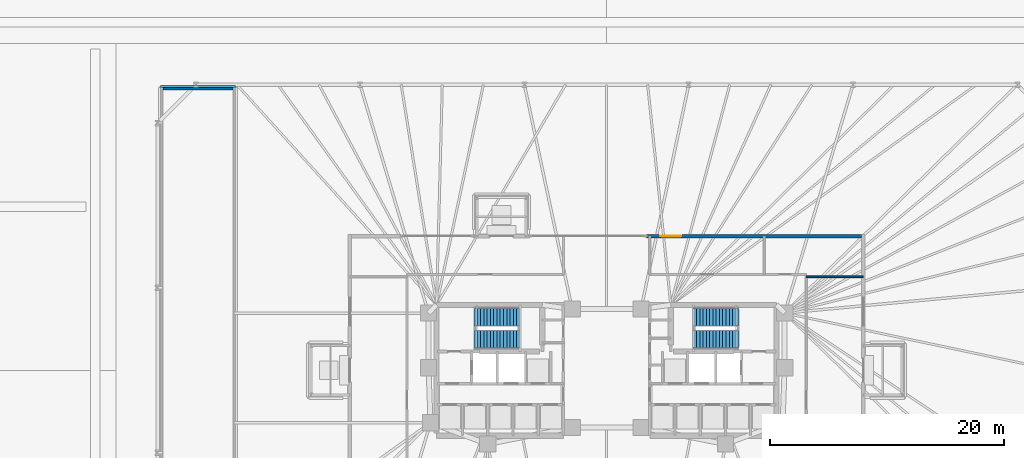
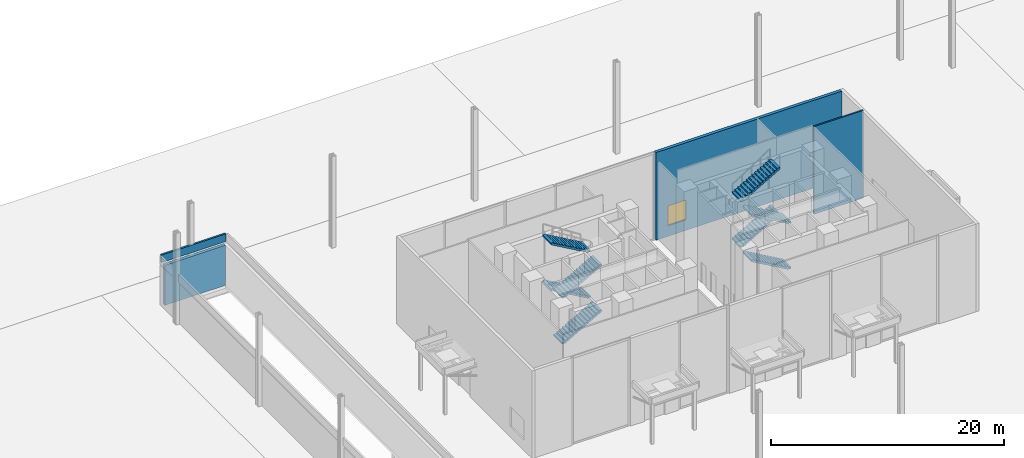
# One storey, part 21 of 24: 8 stair flights, 4 walls, 1 window, 1 opening, 2 elements without a shape of their own.
"""IFC4 building model written with IfcOpenShell, lengths in metres."""

from ifc_helpers import new_model, si_unit, direction, frame, frame_2d, origin, place, context, subcontext, project, spatial, polyline, rectangle, outline, extrude, material, layer, layer_set, type_object, element, fill, aggregate, save


model = new_model("IFC4")

# Units and contexts
model_context = context("Model", 3, precision=1e-05, world=origin(), true_north=direction((0.0, 1.0)))
body_context = subcontext(model_context, "Body", "Model", "MODEL_VIEW")
ifc_project = project(units=[si_unit("LENGTHUNIT", "METRE"), si_unit("AREAUNIT", "SQUARE_METRE"), si_unit("VOLUMEUNIT", "CUBIC_METRE"), si_unit("PLANEANGLEUNIT", "RADIAN"), si_unit("MASSUNIT", "GRAM", prefix="KILO")], contexts=[model_context])

# Site, building, storey
site_placement = place(None, origin())
site = spatial("IfcSite", under=ifc_project, at=site_placement, CompositionType="ELEMENT")
building_placement = place(site_placement, origin())
building = spatial("IfcBuilding", under=site, at=building_placement, Name="Menara Jurai Vektor", CompositionType="ELEMENT")
storey_placement = place(building_placement, origin())
storey = spatial("IfcBuildingStorey", under=building, at=storey_placement, Name="L00", CompositionType="ELEMENT", Elevation=0.0)

# Wall, opening, window
ifc_material_1 = material(Name="Insulated Pale Aluminium Spandrel Wall", Category="aluminium")
ifc_layer_1 = layer(ifc_material_1, 0.300048828125)
ifc_layer_set_1 = layer_set([ifc_layer_1], Name="Insulated Pale Aluminium Spandrel Wall")
wall_type_1 = type_object("IfcWallType", Name="ENV-WALL-EXT300", PredefinedType="STANDARD", material=ifc_layer_set_1)
wall_1_placement = place(storey_placement, frame((3.39990234375, 11.5, 0.0), z_axis=(0.0, 0.0, 1.0), x_axis=(1.0, 0.0, 0.0)))
wall_1 = element("IfcWall", 1, at=wall_1_placement, inside=storey, type_object=wall_type_1, Name="Ground Lobby External Wall N-FCC", PredefinedType="STANDARD", context=body_context, shape_type="SweptSolid", body=[
    extrude(rectangle(XDim=18.4501953125, YDim=0.300048828125, at=frame_2d((9.22509765625, 0.0))), origin(), (0.0, 0.0, 1.0), 9.195068359375),
])
opening_placement = place(wall_1_placement, frame((1.199951171875, 0.0, 1.10009765625)))
opening = element("IfcOpeningElement", 2, at=opening_placement, cuts=wall_1, Name="Opening EW-18", PredefinedType="OPENING", context=body_context, shape_type="SweptSolid", body=[
    extrude(rectangle(XDim=1.800048828125, YDim=2.10009765625, at=frame_2d((0.89990234375, 1.050048828125))), frame((0.0, 0.16015625, 0.0), z_axis=(0.0, -1.0, 0.0), x_axis=(1.0, 0.0, 0.0)), (0.0, 0.0, 1.0), 0.320068359375),
])
ifc_material_2 = material(Name="Low-E Double Glazed Pale Aluminium Window", Category="aluminium")
window_type = type_object("IfcWindowType", Name="ENV-WIN-PAV180", PartitioningType="SINGLE_PANEL", PredefinedType="WINDOW", material=ifc_material_2)
window_placement = place(opening_placement, origin())
window = element("IfcWindow", 3, at=window_placement, inside=storey, type_object=window_type, Name="Ground Pavilion Window W01", OverallHeight=2.10009765625, OverallWidth=1.800048828125, PartitioningType="SINGLE_PANEL", PredefinedType="WINDOW", context=body_context, shape_type="SweptSolid", body=[
    extrude(rectangle(XDim=1.800048828125, YDim=2.10009765625, at=frame_2d((0.89990234375, 1.050048828125))), frame((0.0, 0.030029296875, 0.0), z_axis=(0.0, -1.0, 0.0), x_axis=(1.0, 0.0, 0.0)), (0.0, 0.0, 1.0), 0.06005859375),
])
fill(opening, window)

# Walls
wall_2_placement = place(storey_placement, frame((-38.0, 24.14990234375, 0.0), z_axis=(0.0, 0.0, 1.0), x_axis=(1.0, 0.0, 0.0)))
element("IfcWall", 4, at=wall_2_placement, inside=storey, type_object=wall_type_1, Name="Vehicle Ramp Headhouse Wall RP-N", PredefinedType="STANDARD", context=body_context, shape_type="SweptSolid", body=[
    extrude(rectangle(XDim=6.0, YDim=0.300048828125, at=frame_2d((3.0, 0.0))), origin(), (0.0, 0.0, 1.0), 4.199951171875),
])
ifc_material_3 = material(Name="Concrete C40/50", Category="concrete")
ifc_layer_2 = layer(ifc_material_3, 0.179931640625)
ifc_layer_set_2 = layer_set([ifc_layer_2], Name="Concrete C40/50")
wall_type_2 = type_object("IfcWallType", Name="ENV-WALL-PARAPET180", PredefinedType="PARAPET", material=ifc_layer_set_2)
wall_3_placement = place(storey_placement, frame((-31.799072265625, 24.300048828125, 4.419921875), z_axis=(0.0, 0.0, 1.0), x_axis=(-1.0, 0.0, 0.0)))
element("IfcWall", 5, at=wall_3_placement, inside=storey, type_object=wall_type_2, Name="Roof Parapet Wall L00-RAMP-02", PredefinedType="PARAPET", context=body_context, shape_type="SweptSolid", body=[
    extrude(rectangle(XDim=6.40185546875, YDim=0.179931640625, at=frame_2d((3.200927734375, 0.0))), origin(), (0.0, 0.0, 1.0), 0.800048828125),
])
ifc_material_4 = material(Name="Gypsum Fireboard Partition", Category="gypsum")
ifc_layer_3 = layer(ifc_material_4, 0.14990234375)
ifc_layer_set_3 = layer_set([ifc_layer_3], Name="Gypsum Fireboard Partition")
wall_type_3 = type_object("IfcWallType", Name="INT-WALL-CORR-150", PredefinedType="PARTITIONING", material=ifc_layer_set_3)
wall_4_placement = place(storey_placement, frame((17.10009765625, 8.0, 0.0), z_axis=(0.0, 0.0, 1.0), x_axis=(1.0, 0.0, 0.0)))
element("IfcWall", 6, at=wall_4_placement, inside=storey, type_object=wall_type_3, Name="Interior Wall IW-150 L00", PredefinedType="PARTITIONING", context=body_context, shape_type="SweptSolid", body=[
    extrude(rectangle(XDim=4.89990234375, YDim=0.14990234375, at=frame_2d((2.449951171875, 0.0))), origin(), (0.0, 0.0, 1.0), 9.199951171875),
])

# Stair, stair flights
stair_type = type_object("IfcStairType", Name="STAIR-DOGLEG-1500", PredefinedType="HALF_TURN_STAIR", material=ifc_material_3)
stair_1_placement = place(storey_placement, origin())
stair_1 = element("IfcStair", 7, at=stair_1_placement, inside=storey, type_object=stair_type, Name="Protected Exit Stair ST1 L00", PredefinedType="HALF_TURN_STAIR")
stair_flight_type = type_object("IfcStairFlightType", Name="STAIR-FLIGHT-1500", PredefinedType="STRAIGHT", material=ifc_material_3)
stair_flight_1_placement = place(storey_placement, frame((-11.35009765625, 2.64990234375, 0.0), z_axis=(0.0, 0.0, 1.0), x_axis=(1.0, 0.0, 0.0)))
stair_flight_1 = element("IfcStairFlight", 8, at=stair_flight_1_placement, type_object=stair_flight_type, Name="ST1 flight 1", NumberOfRisers=15, NumberOfTreads=14, PredefinedType="STRAIGHT", RiserHeight=0.16, TreadLength=0.28, context=body_context, shape_type="SweptSolid", body=[
    extrude(outline(polyline([(0.0, 0.0), (0.0, 0.159912109375), (0.280029296875, 0.159912109375), (0.280029296875, 0.320068359375), (0.56005859375, 0.320068359375), (0.56005859375, 0.47998046875), (0.840087890625, 0.47998046875), (0.840087890625, 0.639892578125), (1.1201171875, 0.639892578125), (1.1201171875, 0.800048828125), (1.39990234375, 0.800048828125), (1.39990234375, 0.9599609375), (1.679931640625, 0.9599609375), (1.679931640625, 1.1201171875), (1.9599609375, 1.1201171875), (1.9599609375, 1.280029296875), (2.239990234375, 1.280029296875), (2.239990234375, 1.43994140625), (2.52001953125, 1.43994140625), (2.52001953125, 1.60009765625), (2.800048828125, 1.60009765625), (2.800048828125, 1.760009765625), (3.080078125, 1.760009765625), (3.080078125, 1.919921875), (3.360107421875, 1.919921875), (3.360107421875, 2.080078125), (3.639892578125, 2.080078125), (3.639892578125, 2.239990234375), (3.919921875, 2.239990234375), (3.919921875, 2.39990234375), (3.919921875, 2.055908203125), (0.322265625, 0.0), (0.0, 0.0)])), frame((0.0, 0.75, 0.0), z_axis=(0.0, -1.0, 0.0), x_axis=(1.0, 0.0, 0.0)), (0.0, 0.0, 1.0), 1.5),
])
stair_flight_2_placement = place(storey_placement, frame((-7.429931640625, 4.550048828125, 2.39990234375), z_axis=(0.0, 0.0, 1.0), x_axis=(-1.0, 0.0, 0.0)))
stair_flight_2 = element("IfcStairFlight", 9, at=stair_flight_2_placement, type_object=stair_flight_type, Name="ST1 flight 2", NumberOfRisers=15, NumberOfTreads=14, PredefinedType="STRAIGHT", RiserHeight=0.16, TreadLength=0.28, context=body_context, shape_type="SweptSolid", body=[
    extrude(outline(polyline([(0.0, 0.0), (0.0, 0.159912109375), (0.280029296875, 0.159912109375), (0.280029296875, 0.320068359375), (0.56005859375, 0.320068359375), (0.56005859375, 0.47998046875), (0.840087890625, 0.47998046875), (0.840087890625, 0.639892578125), (1.1201171875, 0.639892578125), (1.1201171875, 0.800048828125), (1.39990234375, 0.800048828125), (1.39990234375, 0.9599609375), (1.679931640625, 0.9599609375), (1.679931640625, 1.1201171875), (1.9599609375, 1.1201171875), (1.9599609375, 1.280029296875), (2.239990234375, 1.280029296875), (2.239990234375, 1.43994140625), (2.52001953125, 1.43994140625), (2.52001953125, 1.60009765625), (2.800048828125, 1.60009765625), (2.800048828125, 1.760009765625), (3.080078125, 1.760009765625), (3.080078125, 1.919921875), (3.360107421875, 1.919921875), (3.360107421875, 2.080078125), (3.639892578125, 2.080078125), (3.639892578125, 2.239990234375), (3.919921875, 2.239990234375), (3.919921875, 2.39990234375), (3.919921875, 2.055908203125), (0.322265625, 0.0), (0.0, 0.0)])), frame((0.0, 0.75, 0.0), z_axis=(0.0, -1.0, 0.0), x_axis=(1.0, 0.0, 0.0)), (0.0, 0.0, 1.0), 1.5),
])
stair_flight_3_placement = place(storey_placement, frame((-11.35009765625, 2.64990234375, 4.800048828125), z_axis=(0.0, 0.0, 1.0), x_axis=(1.0, 0.0, 0.0)))
stair_flight_3 = element("IfcStairFlight", 10, at=stair_flight_3_placement, type_object=stair_flight_type, Name="ST1 flight 3", NumberOfRisers=15, NumberOfTreads=14, PredefinedType="STRAIGHT", RiserHeight=0.16, TreadLength=0.28, context=body_context, shape_type="SweptSolid", body=[
    extrude(outline(polyline([(0.0, 0.0), (0.0, 0.159912109375), (0.280029296875, 0.159912109375), (0.280029296875, 0.320068359375), (0.56005859375, 0.320068359375), (0.56005859375, 0.47998046875), (0.840087890625, 0.47998046875), (0.840087890625, 0.639892578125), (1.1201171875, 0.639892578125), (1.1201171875, 0.800048828125), (1.39990234375, 0.800048828125), (1.39990234375, 0.9599609375), (1.679931640625, 0.9599609375), (1.679931640625, 1.1201171875), (1.9599609375, 1.1201171875), (1.9599609375, 1.280029296875), (2.239990234375, 1.280029296875), (2.239990234375, 1.43994140625), (2.52001953125, 1.43994140625), (2.52001953125, 1.60009765625), (2.800048828125, 1.60009765625), (2.800048828125, 1.760009765625), (3.080078125, 1.760009765625), (3.080078125, 1.919921875), (3.360107421875, 1.919921875), (3.360107421875, 2.080078125), (3.639892578125, 2.080078125), (3.639892578125, 2.239990234375), (3.919921875, 2.239990234375), (3.919921875, 2.39990234375), (3.919921875, 2.055908203125), (0.322265625, 0.0), (0.0, 0.0)])), frame((0.0, 0.75, 0.0), z_axis=(0.0, -1.0, 0.0), x_axis=(1.0, 0.0, 0.0)), (0.0, 0.0, 1.0), 1.5),
])
stair_flight_4_placement = place(storey_placement, frame((-7.429931640625, 4.550048828125, 7.199951171875), z_axis=(0.0, 0.0, 1.0), x_axis=(-1.0, 0.0, 0.0)))
stair_flight_4 = element("IfcStairFlight", 11, at=stair_flight_4_placement, type_object=stair_flight_type, Name="ST1 flight 4", NumberOfRisers=15, NumberOfTreads=14, PredefinedType="STRAIGHT", RiserHeight=0.16, TreadLength=0.28, context=body_context, shape_type="SweptSolid", body=[
    extrude(outline(polyline([(0.0, 0.0), (0.0, 0.159912109375), (0.280029296875, 0.159912109375), (0.280029296875, 0.320068359375), (0.56005859375, 0.320068359375), (0.56005859375, 0.47998046875), (0.840087890625, 0.47998046875), (0.840087890625, 0.639892578125), (1.1201171875, 0.639892578125), (1.1201171875, 0.800048828125), (1.39990234375, 0.800048828125), (1.39990234375, 0.9599609375), (1.679931640625, 0.9599609375), (1.679931640625, 1.1201171875), (1.9599609375, 1.1201171875), (1.9599609375, 1.280029296875), (2.239990234375, 1.280029296875), (2.239990234375, 1.43994140625), (2.52001953125, 1.43994140625), (2.52001953125, 1.60009765625), (2.800048828125, 1.60009765625), (2.800048828125, 1.760009765625), (3.080078125, 1.760009765625), (3.080078125, 1.919921875), (3.360107421875, 1.919921875), (3.360107421875, 2.080078125), (3.639892578125, 2.080078125), (3.639892578125, 2.239990234375), (3.919921875, 2.239990234375), (3.919921875, 2.39990234375), (3.919921875, 2.055908203125), (0.322265625, 0.0), (0.0, 0.0)])), frame((0.0, 0.75, 0.0), z_axis=(0.0, -1.0, 0.0), x_axis=(1.0, 0.0, 0.0)), (0.0, 0.0, 1.0), 1.5),
])
aggregate(stair_1, [stair_flight_1, stair_flight_2, stair_flight_3, stair_flight_4])

stair_2_placement = place(storey_placement, origin())
stair_2 = element("IfcStair", 12, at=stair_2_placement, inside=storey, type_object=stair_type, Name="Protected Exit Stair ST2 L00", PredefinedType="HALF_TURN_STAIR")
stair_flight_5_placement = place(storey_placement, frame((11.35009765625, 2.64990234375, 0.0), z_axis=(0.0, 0.0, 1.0), x_axis=(-1.0, 0.0, 0.0)))
stair_flight_5 = element("IfcStairFlight", 13, at=stair_flight_5_placement, type_object=stair_flight_type, Name="ST2 flight 1", NumberOfRisers=15, NumberOfTreads=14, PredefinedType="STRAIGHT", RiserHeight=0.16, TreadLength=0.28, context=body_context, shape_type="SweptSolid", body=[
    extrude(outline(polyline([(0.0, 0.0), (0.0, 0.159912109375), (0.280029296875, 0.159912109375), (0.280029296875, 0.320068359375), (0.56005859375, 0.320068359375), (0.56005859375, 0.47998046875), (0.840087890625, 0.47998046875), (0.840087890625, 0.639892578125), (1.1201171875, 0.639892578125), (1.1201171875, 0.800048828125), (1.39990234375, 0.800048828125), (1.39990234375, 0.9599609375), (1.679931640625, 0.9599609375), (1.679931640625, 1.1201171875), (1.9599609375, 1.1201171875), (1.9599609375, 1.280029296875), (2.239990234375, 1.280029296875), (2.239990234375, 1.43994140625), (2.52001953125, 1.43994140625), (2.52001953125, 1.60009765625), (2.800048828125, 1.60009765625), (2.800048828125, 1.760009765625), (3.080078125, 1.760009765625), (3.080078125, 1.919921875), (3.360107421875, 1.919921875), (3.360107421875, 2.080078125), (3.639892578125, 2.080078125), (3.639892578125, 2.239990234375), (3.919921875, 2.239990234375), (3.919921875, 2.39990234375), (3.919921875, 2.055908203125), (0.322265625, 0.0), (0.0, 0.0)])), frame((0.0, 0.75, 0.0), z_axis=(0.0, -1.0, 0.0), x_axis=(1.0, 0.0, 0.0)), (0.0, 0.0, 1.0), 1.5),
])
stair_flight_6_placement = place(storey_placement, frame((7.429931640625, 4.550048828125, 2.39990234375), z_axis=(0.0, 0.0, 1.0), x_axis=(1.0, 0.0, 0.0)))
stair_flight_6 = element("IfcStairFlight", 14, at=stair_flight_6_placement, type_object=stair_flight_type, Name="ST2 flight 2", NumberOfRisers=15, NumberOfTreads=14, PredefinedType="STRAIGHT", RiserHeight=0.16, TreadLength=0.28, context=body_context, shape_type="SweptSolid", body=[
    extrude(outline(polyline([(0.0, 0.0), (0.0, 0.159912109375), (0.280029296875, 0.159912109375), (0.280029296875, 0.320068359375), (0.56005859375, 0.320068359375), (0.56005859375, 0.47998046875), (0.840087890625, 0.47998046875), (0.840087890625, 0.639892578125), (1.1201171875, 0.639892578125), (1.1201171875, 0.800048828125), (1.39990234375, 0.800048828125), (1.39990234375, 0.9599609375), (1.679931640625, 0.9599609375), (1.679931640625, 1.1201171875), (1.9599609375, 1.1201171875), (1.9599609375, 1.280029296875), (2.239990234375, 1.280029296875), (2.239990234375, 1.43994140625), (2.52001953125, 1.43994140625), (2.52001953125, 1.60009765625), (2.800048828125, 1.60009765625), (2.800048828125, 1.760009765625), (3.080078125, 1.760009765625), (3.080078125, 1.919921875), (3.360107421875, 1.919921875), (3.360107421875, 2.080078125), (3.639892578125, 2.080078125), (3.639892578125, 2.239990234375), (3.919921875, 2.239990234375), (3.919921875, 2.39990234375), (3.919921875, 2.055908203125), (0.322265625, 0.0), (0.0, 0.0)])), frame((0.0, 0.75, 0.0), z_axis=(0.0, -1.0, 0.0), x_axis=(1.0, 0.0, 0.0)), (0.0, 0.0, 1.0), 1.5),
])
stair_flight_7_placement = place(storey_placement, frame((11.35009765625, 2.64990234375, 4.800048828125), z_axis=(0.0, 0.0, 1.0), x_axis=(-1.0, 0.0, 0.0)))
stair_flight_7 = element("IfcStairFlight", 15, at=stair_flight_7_placement, type_object=stair_flight_type, Name="ST2 flight 3", NumberOfRisers=15, NumberOfTreads=14, PredefinedType="STRAIGHT", RiserHeight=0.16, TreadLength=0.28, context=body_context, shape_type="SweptSolid", body=[
    extrude(outline(polyline([(0.0, 0.0), (0.0, 0.159912109375), (0.280029296875, 0.159912109375), (0.280029296875, 0.320068359375), (0.56005859375, 0.320068359375), (0.56005859375, 0.47998046875), (0.840087890625, 0.47998046875), (0.840087890625, 0.639892578125), (1.1201171875, 0.639892578125), (1.1201171875, 0.800048828125), (1.39990234375, 0.800048828125), (1.39990234375, 0.9599609375), (1.679931640625, 0.9599609375), (1.679931640625, 1.1201171875), (1.9599609375, 1.1201171875), (1.9599609375, 1.280029296875), (2.239990234375, 1.280029296875), (2.239990234375, 1.43994140625), (2.52001953125, 1.43994140625), (2.52001953125, 1.60009765625), (2.800048828125, 1.60009765625), (2.800048828125, 1.760009765625), (3.080078125, 1.760009765625), (3.080078125, 1.919921875), (3.360107421875, 1.919921875), (3.360107421875, 2.080078125), (3.639892578125, 2.080078125), (3.639892578125, 2.239990234375), (3.919921875, 2.239990234375), (3.919921875, 2.39990234375), (3.919921875, 2.055908203125), (0.322265625, 0.0), (0.0, 0.0)])), frame((0.0, 0.75, 0.0), z_axis=(0.0, -1.0, 0.0), x_axis=(1.0, 0.0, 0.0)), (0.0, 0.0, 1.0), 1.5),
])
stair_flight_8_placement = place(storey_placement, frame((7.429931640625, 4.550048828125, 7.199951171875), z_axis=(0.0, 0.0, 1.0), x_axis=(1.0, 0.0, 0.0)))
stair_flight_8 = element("IfcStairFlight", 16, at=stair_flight_8_placement, type_object=stair_flight_type, Name="ST2 flight 4", NumberOfRisers=15, NumberOfTreads=14, PredefinedType="STRAIGHT", RiserHeight=0.16, TreadLength=0.28, context=body_context, shape_type="SweptSolid", body=[
    extrude(outline(polyline([(0.0, 0.0), (0.0, 0.159912109375), (0.280029296875, 0.159912109375), (0.280029296875, 0.320068359375), (0.56005859375, 0.320068359375), (0.56005859375, 0.47998046875), (0.840087890625, 0.47998046875), (0.840087890625, 0.639892578125), (1.1201171875, 0.639892578125), (1.1201171875, 0.800048828125), (1.39990234375, 0.800048828125), (1.39990234375, 0.9599609375), (1.679931640625, 0.9599609375), (1.679931640625, 1.1201171875), (1.9599609375, 1.1201171875), (1.9599609375, 1.280029296875), (2.239990234375, 1.280029296875), (2.239990234375, 1.43994140625), (2.52001953125, 1.43994140625), (2.52001953125, 1.60009765625), (2.800048828125, 1.60009765625), (2.800048828125, 1.760009765625), (3.080078125, 1.760009765625), (3.080078125, 1.919921875), (3.360107421875, 1.919921875), (3.360107421875, 2.080078125), (3.639892578125, 2.080078125), (3.639892578125, 2.239990234375), (3.919921875, 2.239990234375), (3.919921875, 2.39990234375), (3.919921875, 2.055908203125), (0.322265625, 0.0), (0.0, 0.0)])), frame((0.0, 0.75, 0.0), z_axis=(0.0, -1.0, 0.0), x_axis=(1.0, 0.0, 0.0)), (0.0, 0.0, 1.0), 1.5),
])
aggregate(stair_2, [stair_flight_5, stair_flight_6, stair_flight_7, stair_flight_8])

save(model, "model.ifc")
